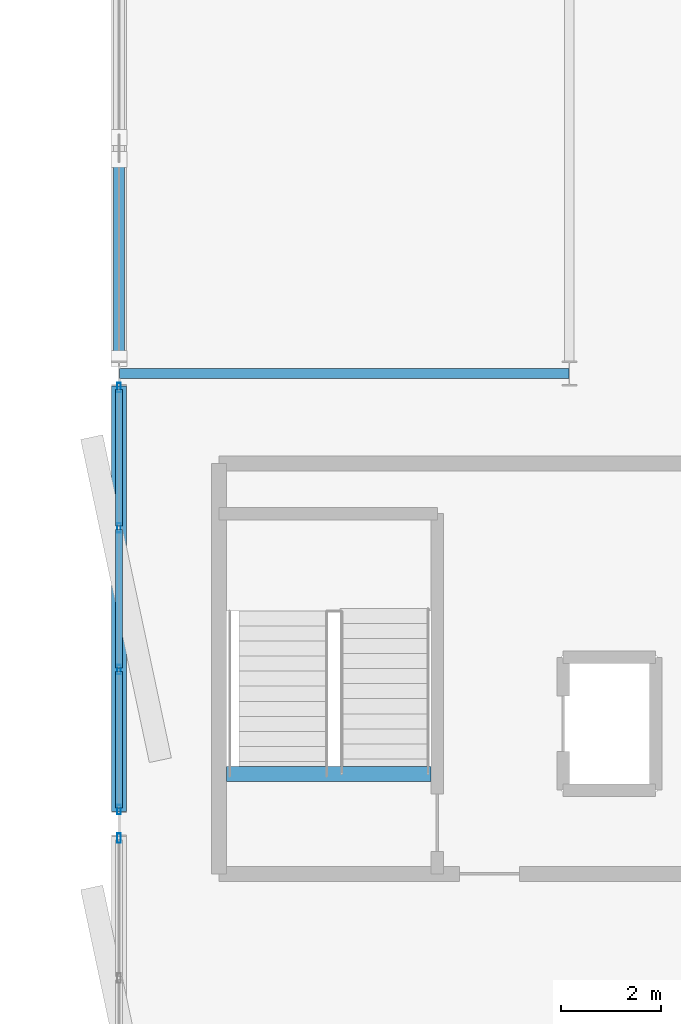
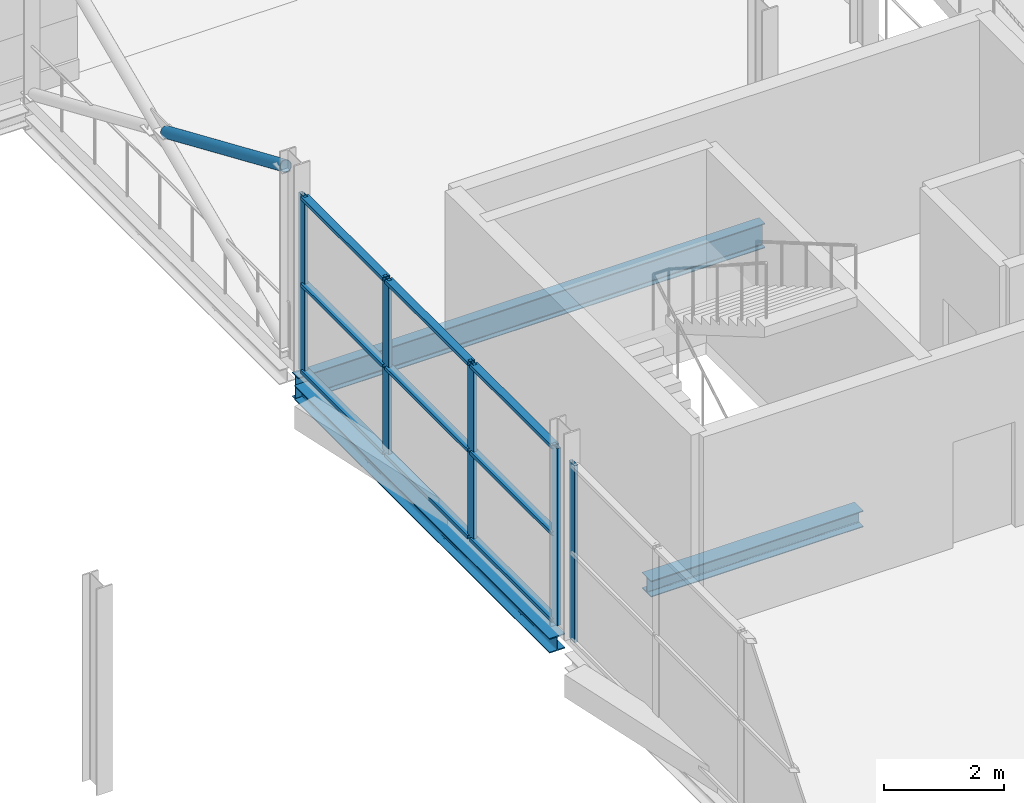
# One storey, part 75 of 132: 15 members, 3 beams, 2 elements without a shape of their own.
"""IFC4 building model written with IfcOpenShell, lengths in metres."""

from ifc_helpers import new_model, si_unit, direction, frame, origin, origin_2d, place, context, subcontext, project, spatial, hollow_rectangle, hollow_circle, i_section, extrude, material, layer, layer_set, material_profile, profile_set, type_object, element, aggregate, save


model = new_model("IFC4")

# Units and contexts
model_context = context("Model", 3, precision=1e-05, world=origin(), true_north=direction((0.0, 1.0)))
body_context = subcontext(model_context, "Body", "Model", "MODEL_VIEW")
ifc_project = project(units=[si_unit("LENGTHUNIT", "METRE"), si_unit("AREAUNIT", "SQUARE_METRE"), si_unit("VOLUMEUNIT", "CUBIC_METRE"), si_unit("PLANEANGLEUNIT", "RADIAN"), si_unit("MASSUNIT", "GRAM", prefix="KILO")], contexts=[model_context])

# Site, building, storey
site_placement = place(None, origin())
site = spatial("IfcSite", under=ifc_project, at=site_placement, CompositionType="ELEMENT")
building_placement = place(site_placement, origin())
building = spatial("IfcBuilding", under=site, at=building_placement, Name="Deido Ridge Mobility Hub", CompositionType="ELEMENT")
storey_placement = place(building_placement, frame((0.0, 0.0, 8.39990234375)))
storey = spatial("IfcBuildingStorey", under=building, at=storey_placement, Name="L02", CompositionType="ELEMENT", Elevation=8.39990234375)

# Beams
ifc_material_1 = material(Name="Steel S355J2 EN 10025-2", Category="steel")
ifc_material_profile_1 = material_profile(ifc_material_1, i_section(OverallWidth=0.300048828125, OverallDepth=0.330078125, WebThickness=0.009521484375, FlangeThickness=0.0166015625, FilletRadius=0.027099609375, at=origin_2d()), Name="HEA 340")
ifc_profile_set_1 = profile_set([ifc_material_profile_1], Name="Steel S355J2 EN 10025-2")
beam_type_1 = type_object("IfcBeamType", Name="BM-HEA340", PredefinedType="BEAM", material=ifc_profile_set_1)
beam_1_placement = place(storey_placement, frame((74.14990234375, 64.0, -0.419921875), z_axis=(1.0, 0.0, 0.0), x_axis=(0.0, 1.0, 0.0)))
element("IfcBeam", 1, at=beam_1_placement, inside=storey, type_object=beam_type_1, Name="C4 stair landing trimmer beam B6", PredefinedType="BEAM", context=body_context, shape_type="SweptSolid", body=[
    extrude(i_section(OverallWidth=0.300048828125, OverallDepth=0.330078125, WebThickness=0.009521484375, FlangeThickness=0.0166015625, FilletRadius=0.027099609375, at=origin_2d()), origin(), (0.0, 0.0, 1.0), 4.085205078125),
])
ifc_material_profile_2 = material_profile(ifc_material_1, i_section(OverallWidth=0.199951171875, OverallDepth=0.5, WebThickness=0.01025390625, FlangeThickness=0.01611328125, FilletRadius=0.02099609375, at=origin_2d()), Name="IPE 500")
ifc_profile_set_2 = profile_set([ifc_material_profile_2], Name="Steel S355J2 EN 10025-2")
beam_type_2 = type_object("IfcBeamType", Name="BM-IPE500", PredefinedType="BEAM", material=ifc_profile_set_2)
beam_2_placement = place(storey_placement, frame((72.007080078125, 72.0, -0.5048828125), z_axis=(1.0, 0.0, 0.0), x_axis=(0.0, 1.0, 0.0)))
element("IfcBeam", 2, at=beam_2_placement, inside=storey, type_object=beam_type_2, Name="Floor beam B3", PredefinedType="BEAM", context=body_context, shape_type="SweptSolid", body=[
    extrude(i_section(OverallWidth=0.199951171875, OverallDepth=0.5, WebThickness=0.01025390625, FlangeThickness=0.01611328125, FilletRadius=0.02099609375, at=origin_2d()), origin(), (0.0, 0.0, 1.0), 8.98583984375),
])

# Member
ifc_material_2 = material(Name="Steel S355J2H EN 10210-1", Category="steel")
ifc_material_profile_3 = material_profile(ifc_material_2, hollow_circle(Radius=0.109619140625, WallThickness=0.010009765625, at=origin_2d()), Name="CHS 219.1x10")
ifc_profile_set_3 = profile_set([ifc_material_profile_3], Name="Steel S355J2H EN 10210-1")
member_type_1 = type_object("IfcMemberType", Name="MEM-BRC-CHS219", PredefinedType="BRACE", material=ifc_profile_set_3)
member_1_placement = place(storey_placement, frame((72.0, 76.27978515625, 2.095458984375), z_axis=(0.0, -0.917550833654, 0.397618495119), x_axis=(1.0, 0.0, 0.0)))
element("IfcMember", 3, at=member_1_placement, inside=storey, type_object=member_type_1, Name="Split X-brace diagonal segment BR2", PredefinedType="BRACE", context=body_context, shape_type="SweptSolid", body=[
    extrude(hollow_circle(Radius=0.109619140625, WallThickness=0.010009765625, at=origin_2d()), origin(), (0.0, 0.0, 1.0), 4.33740234375),
])

# Curtain wall, member
ifc_material_3 = material(Name="Anodised aluminium EN AW-6063 T6", Category="aluminium")
ifc_layer = layer(ifc_material_3, 0.195068359375, Name="Anodised aluminium EN AW-6063 T6")
ifc_layer_set = layer_set([ifc_layer], Name="Anodised aluminium EN AW-6063 T6")
curtain_wall_type = type_object("IfcCurtainWallType", Name="CW-UF-3", PredefinedType="USERDEFINED", material=ifc_layer_set)
curtain_wall_1_placement = place(storey_placement, origin())
curtain_wall_1 = element("IfcCurtainWall", 4, at=curtain_wall_1_placement, inside=storey, type_object=curtain_wall_type, Name="Unitised curtain wall CW3", ObjectType="UNITISED FACADE", PredefinedType="USERDEFINED")
ifc_material_profile_4 = material_profile(ifc_material_3, hollow_rectangle(XDim=0.070068359375, YDim=0.18994140625, WallThickness=0.00390625, at=origin_2d()), Name="RHS 70x190x4")
ifc_profile_set_4 = profile_set([ifc_material_profile_4], Name="Anodised aluminium EN AW-6063 T6")
member_type_2 = type_object("IfcMemberType", Name="MEM-MUL-70X190", PredefinedType="MULLION", material=ifc_profile_set_4)
member_2_placement = place(storey_placement, frame((72.0, 62.715087890625, 0.0), z_axis=(0.0, 0.0, 1.0), x_axis=(-1.0, 0.0, 0.0)))
member_2 = element("IfcMember", 5, at=member_2_placement, type_object=member_type_2, Name="CW3 mullion 4", PredefinedType="MULLION", context=body_context, shape_type="SweptSolid", body=[
    extrude(hollow_rectangle(XDim=0.070068359375, YDim=0.18994140625, WallThickness=0.00390625, at=origin_2d()), origin(), (0.0, 0.0, 1.0), 3.60009765625),
])
aggregate(curtain_wall_1, [member_2])

# Curtain wall, members
curtain_wall_2_placement = place(storey_placement, origin())
curtain_wall_2 = element("IfcCurtainWall", 6, at=curtain_wall_2_placement, inside=storey, type_object=curtain_wall_type, Name="Unitised curtain wall CW3", ObjectType="UNITISED FACADE", PredefinedType="USERDEFINED")
member_3_placement = place(storey_placement, frame((72.0, 63.284912109375, 0.0), z_axis=(0.0, 0.0, 1.0), x_axis=(-1.0, 0.0, 0.0)))
member_3 = element("IfcMember", 7, at=member_3_placement, type_object=member_type_2, Name="CW3 mullion 1", PredefinedType="MULLION", context=body_context, shape_type="SweptSolid", body=[
    extrude(hollow_rectangle(XDim=0.070068359375, YDim=0.18994140625, WallThickness=0.00390625, at=origin_2d()), origin(), (0.0, 0.0, 1.0), 3.60009765625),
])
member_4_placement = place(storey_placement, frame((72.0, 66.083251953125, 0.0), z_axis=(0.0, 0.0, 1.0), x_axis=(-1.0, 0.0, 0.0)))
member_4 = element("IfcMember", 8, at=member_4_placement, type_object=member_type_2, Name="CW3 mullion 2", PredefinedType="MULLION", context=body_context, shape_type="SweptSolid", body=[
    extrude(hollow_rectangle(XDim=0.070068359375, YDim=0.18994140625, WallThickness=0.00390625, at=origin_2d()), origin(), (0.0, 0.0, 1.0), 3.60009765625),
])
member_5_placement = place(storey_placement, frame((72.0, 68.916748046875, 0.0), z_axis=(0.0, 0.0, 1.0), x_axis=(-1.0, 0.0, 0.0)))
member_5 = element("IfcMember", 9, at=member_5_placement, type_object=member_type_2, Name="CW3 mullion 3", PredefinedType="MULLION", context=body_context, shape_type="SweptSolid", body=[
    extrude(hollow_rectangle(XDim=0.070068359375, YDim=0.18994140625, WallThickness=0.00390625, at=origin_2d()), origin(), (0.0, 0.0, 1.0), 3.60009765625),
])
member_6_placement = place(storey_placement, frame((72.0, 71.715087890625, 0.0), z_axis=(0.0, 0.0, 1.0), x_axis=(-1.0, 0.0, 0.0)))
member_6 = element("IfcMember", 10, at=member_6_placement, type_object=member_type_2, Name="CW3 mullion 4", PredefinedType="MULLION", context=body_context, shape_type="SweptSolid", body=[
    extrude(hollow_rectangle(XDim=0.070068359375, YDim=0.18994140625, WallThickness=0.00390625, at=origin_2d()), origin(), (0.0, 0.0, 1.0), 3.60009765625),
])
ifc_material_profile_5 = material_profile(ifc_material_3, hollow_rectangle(XDim=0.14501953125, YDim=0.070068359375, WallThickness=0.00390625, at=origin_2d()), Name="RHS 145x70x4")
ifc_profile_set_5 = profile_set([ifc_material_profile_5], Name="Anodised aluminium EN AW-6063 T6")
member_type_3 = type_object("IfcMemberType", Name="MEM-TRN-145X70", PredefinedType="USERDEFINED", material=ifc_profile_set_5)
member_7_placement = place(storey_placement, frame((72.0, 63.320068359375, 0.03515625), z_axis=(0.0, 1.0, 0.0), x_axis=(-1.0, 0.0, 0.0)))
member_7 = element("IfcMember", 11, at=member_7_placement, type_object=member_type_3, Name="CW3 transom 1.1", ObjectType="TRANSOM", PredefinedType="USERDEFINED", context=body_context, shape_type="SweptSolid", body=[
    extrude(hollow_rectangle(XDim=0.14501953125, YDim=0.070068359375, WallThickness=0.00390625, at=origin_2d()), origin(), (0.0, 0.0, 1.0), 2.728271484375),
])
member_8_placement = place(storey_placement, frame((72.0, 63.320068359375, 1.800048828125), z_axis=(0.0, 1.0, 0.0), x_axis=(-1.0, 0.0, 0.0)))
member_8 = element("IfcMember", 12, at=member_8_placement, type_object=member_type_3, Name="CW3 transom 1.2", ObjectType="TRANSOM", PredefinedType="USERDEFINED", context=body_context, shape_type="SweptSolid", body=[
    extrude(hollow_rectangle(XDim=0.14501953125, YDim=0.070068359375, WallThickness=0.00390625, at=origin_2d()), origin(), (0.0, 0.0, 1.0), 2.728271484375),
])
member_9_placement = place(storey_placement, frame((72.0, 63.320068359375, 3.565185546875), z_axis=(0.0, 1.0, 0.0), x_axis=(-1.0, 0.0, 0.0)))
member_9 = element("IfcMember", 13, at=member_9_placement, type_object=member_type_3, Name="CW3 transom 1.3", ObjectType="TRANSOM", PredefinedType="USERDEFINED", context=body_context, shape_type="SweptSolid", body=[
    extrude(hollow_rectangle(XDim=0.14501953125, YDim=0.070068359375, WallThickness=0.00390625, at=origin_2d()), origin(), (0.0, 0.0, 1.0), 2.728271484375),
])
member_10_placement = place(storey_placement, frame((72.0, 66.118408203125, 0.03515625), z_axis=(0.0, 1.0, 0.0), x_axis=(-1.0, 0.0, 0.0)))
member_10 = element("IfcMember", 14, at=member_10_placement, type_object=member_type_3, Name="CW3 transom 2.1", ObjectType="TRANSOM", PredefinedType="USERDEFINED", context=body_context, shape_type="SweptSolid", body=[
    extrude(hollow_rectangle(XDim=0.14501953125, YDim=0.070068359375, WallThickness=0.00390625, at=origin_2d()), origin(), (0.0, 0.0, 1.0), 2.76318359375),
])
member_11_placement = place(storey_placement, frame((72.0, 66.118408203125, 1.800048828125), z_axis=(0.0, 1.0, 0.0), x_axis=(-1.0, 0.0, 0.0)))
member_11 = element("IfcMember", 15, at=member_11_placement, type_object=member_type_3, Name="CW3 transom 2.2", ObjectType="TRANSOM", PredefinedType="USERDEFINED", context=body_context, shape_type="SweptSolid", body=[
    extrude(hollow_rectangle(XDim=0.14501953125, YDim=0.070068359375, WallThickness=0.00390625, at=origin_2d()), origin(), (0.0, 0.0, 1.0), 2.76318359375),
])
member_12_placement = place(storey_placement, frame((72.0, 66.118408203125, 3.565185546875), z_axis=(0.0, 1.0, 0.0), x_axis=(-1.0, 0.0, 0.0)))
member_12 = element("IfcMember", 16, at=member_12_placement, type_object=member_type_3, Name="CW3 transom 2.3", ObjectType="TRANSOM", PredefinedType="USERDEFINED", context=body_context, shape_type="SweptSolid", body=[
    extrude(hollow_rectangle(XDim=0.14501953125, YDim=0.070068359375, WallThickness=0.00390625, at=origin_2d()), origin(), (0.0, 0.0, 1.0), 2.76318359375),
])
member_13_placement = place(storey_placement, frame((72.0, 68.95166015625, 0.03515625), z_axis=(0.0, 1.0, 0.0), x_axis=(-1.0, 0.0, 0.0)))
member_13 = element("IfcMember", 17, at=member_13_placement, type_object=member_type_3, Name="CW3 transom 3.1", ObjectType="TRANSOM", PredefinedType="USERDEFINED", context=body_context, shape_type="SweptSolid", body=[
    extrude(hollow_rectangle(XDim=0.14501953125, YDim=0.070068359375, WallThickness=0.00390625, at=origin_2d()), origin(), (0.0, 0.0, 1.0), 2.728271484375),
])
member_14_placement = place(storey_placement, frame((72.0, 68.95166015625, 1.800048828125), z_axis=(0.0, 1.0, 0.0), x_axis=(-1.0, 0.0, 0.0)))
member_14 = element("IfcMember", 18, at=member_14_placement, type_object=member_type_3, Name="CW3 transom 3.2", ObjectType="TRANSOM", PredefinedType="USERDEFINED", context=body_context, shape_type="SweptSolid", body=[
    extrude(hollow_rectangle(XDim=0.14501953125, YDim=0.070068359375, WallThickness=0.00390625, at=origin_2d()), origin(), (0.0, 0.0, 1.0), 2.728271484375),
])
member_15_placement = place(storey_placement, frame((72.0, 68.95166015625, 3.565185546875), z_axis=(0.0, 1.0, 0.0), x_axis=(-1.0, 0.0, 0.0)))
member_15 = element("IfcMember", 19, at=member_15_placement, type_object=member_type_3, Name="CW3 transom 3.3", ObjectType="TRANSOM", PredefinedType="USERDEFINED", context=body_context, shape_type="SweptSolid", body=[
    extrude(hollow_rectangle(XDim=0.14501953125, YDim=0.070068359375, WallThickness=0.00390625, at=origin_2d()), origin(), (0.0, 0.0, 1.0), 2.728271484375),
])
aggregate(curtain_wall_2, [member_3, member_4, member_5, member_6, member_7, member_8, member_9, member_10, member_11, member_12, member_13, member_14, member_15])

# Beam
ifc_material_profile_6 = material_profile(ifc_material_1, i_section(OverallWidth=0.300048828125, OverallDepth=0.300048828125, WebThickness=0.010986328125, FlangeThickness=0.01904296875, FilletRadius=0.027099609375, at=origin_2d()), Name="HEB 300")
ifc_profile_set_6 = profile_set([ifc_material_profile_6], Name="Steel S355J2 EN 10025-2")
beam_type_3 = type_object("IfcBeamType", Name="SPD-HEB300", PredefinedType="SPANDREL", material=ifc_profile_set_6)
beam_3_placement = place(storey_placement, frame((72.0, 63.25, -0.40478515625), z_axis=(0.0, 1.0, 0.0), x_axis=(-1.0, 0.0, 0.0)))
element("IfcBeam", 20, at=beam_3_placement, inside=storey, type_object=beam_type_3, Name="Floor beam SP1", PredefinedType="SPANDREL", context=body_context, shape_type="SweptSolid", body=[
    extrude(i_section(OverallWidth=0.300048828125, OverallDepth=0.300048828125, WebThickness=0.010986328125, FlangeThickness=0.01904296875, FilletRadius=0.027099609375, at=origin_2d()), origin(), (0.0, 0.0, 1.0), 8.5),
])

save(model, "model.ifc")
